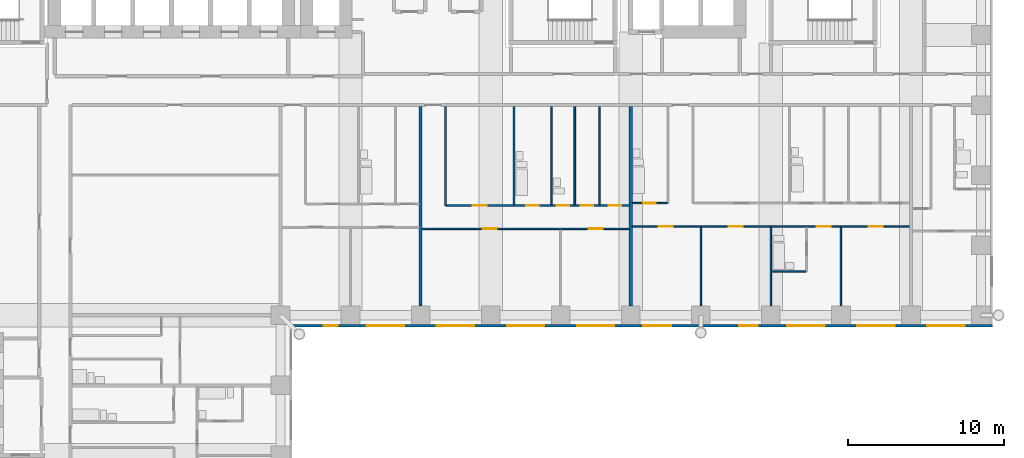
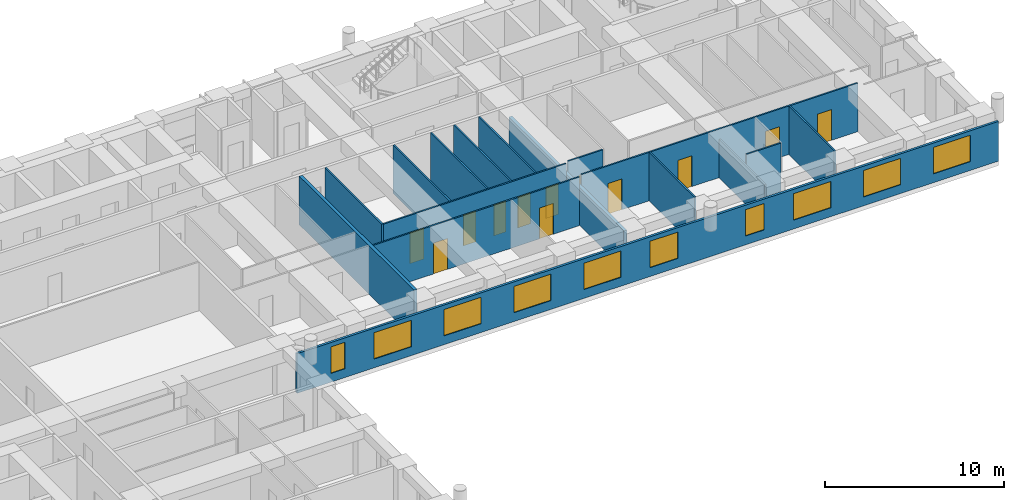
# One storey, part 9 of 14: 16 walls, 12 doors, 10 windows, 22 openings.
"""IFC4 building model written with IfcOpenShell, lengths in metres."""

from ifc_helpers import new_model, si_unit, direction, frame, frame_2d, origin, place, context, subcontext, project, spatial, rectangle, extrude, material, layer, layer_set, type_object, element, fill, save


model = new_model("IFC4")

# Units and contexts
model_context = context("Model", 3, precision=1e-05, world=origin(), true_north=direction((0.0, 1.0)))
body_context = subcontext(model_context, "Body", "Model", "MODEL_VIEW")
ifc_project = project(units=[si_unit("LENGTHUNIT", "METRE"), si_unit("AREAUNIT", "SQUARE_METRE"), si_unit("VOLUMEUNIT", "CUBIC_METRE"), si_unit("PLANEANGLEUNIT", "RADIAN"), si_unit("MASSUNIT", "GRAM", prefix="KILO")], contexts=[model_context])

# Site, building, storey
site_placement = place(None, origin())
site = spatial("IfcSite", under=ifc_project, at=site_placement, CompositionType="ELEMENT")
building_placement = place(site_placement, origin())
building = spatial("IfcBuilding", under=site, at=building_placement, Name="Firuza Court", CompositionType="ELEMENT")
storey_placement = place(building_placement, frame((0.0, 0.0, 90.199951171875)))
storey = spatial("IfcBuildingStorey", under=building, at=storey_placement, Name="L22", CompositionType="ELEMENT", Elevation=90.199951171875)

# Walls
ifc_material_1 = material(Name="Moisture-resistant gypsum board partition")
ifc_layer_1 = layer(ifc_material_1, 0.10009765625)
ifc_layer_set_1 = layer_set([ifc_layer_1], Name="Moisture-resistant gypsum board partition")
wall_type_1 = type_object("IfcWallType", Name="Bathroom partition 100", PredefinedType="PLUMBINGWALL", material=ifc_layer_set_1)
wall_1_placement = place(storey_placement, frame((54.050048828125, 38.800048828125, 0.0), z_axis=(0.0, 0.0, 1.0), x_axis=(1.0, 0.0, 0.0)))
element("IfcWall", 1, at=wall_1_placement, inside=storey, type_object=wall_type_1, Name="Bathroom partition 100 L22", PredefinedType="PLUMBINGWALL", context=body_context, shape_type="SweptSolid", body=[
    extrude(rectangle(XDim=2.199951171875, YDim=0.10009765625, at=frame_2d((1.10009765625, 0.0))), origin(), (0.0, 0.0, 1.0), 3.300048828125),
])
for number, where, z_axis, x_axis, name in (
    (2, (37.5, 43.10009765625, 0.0), (0.0, 0.0, 1.0), (0.0, 1.0, 0.0), "Bathroom partition 100 L22"),
    (3, (39.89990234375, 43.10009765625, 0.0), (0.0, 0.0, 1.0), (0.0, 1.0, 0.0), "Bathroom partition 100 L22"),
    (4, (41.39990234375, 43.10009765625, 0.0), (0.0, 0.0, 1.0), (0.0, 1.0, 0.0), "Bathroom partition 100 L22"),
):
    element("IfcWall", number, at=place(storey_placement, frame(where, z_axis=z_axis, x_axis=x_axis)), inside=storey, type_object=wall_type_1, Name=name, PredefinedType="PLUMBINGWALL", context=body_context, shape_type="SweptSolid", body=[
        extrude(rectangle(XDim=6.2998046875, YDim=0.10009765625, at=frame_2d((3.14990234375, 0.0))), origin(), (0.0, 0.0, 1.0), 3.300048828125),
    ])
ifc_material_2 = material(Name="Timber stud partition, plasterboard both sides", Category="wood")
ifc_layer_2 = layer(ifc_material_2, 0.10009765625)
ifc_layer_set_2 = layer_set([ifc_layer_2], Name="Timber stud partition, plasterboard both sides")
wall_type_2 = type_object("IfcWallType", Name="Partition wall 100", PredefinedType="PARTITIONING", material=ifc_layer_set_2)
wall_2_placement = place(storey_placement, frame((49.5, 36.60009765625, 0.0), z_axis=(0.0, 0.0, 1.0), x_axis=(0.0, 1.0, 0.0)))
element("IfcWall", 5, at=wall_2_placement, inside=storey, type_object=wall_type_2, Name="Partition wall 100 L22", PredefinedType="PARTITIONING", context=body_context, shape_type="SweptSolid", body=[
    extrude(rectangle(XDim=5.0498046875, YDim=0.10009765625, at=frame_2d((2.52490234375, 0.0))), origin(), (0.0, 0.0, 1.0), 3.300048828125),
])
wall_3_placement = place(storey_placement, frame((54.0, 36.60009765625, 0.0), z_axis=(0.0, 0.0, 1.0), x_axis=(0.0, 1.0, 0.0)))
element("IfcWall", 6, at=wall_3_placement, inside=storey, type_object=wall_type_2, Name="Partition wall 100 L22", PredefinedType="PARTITIONING", context=body_context, shape_type="SweptSolid", body=[
    extrude(rectangle(XDim=5.0498046875, YDim=0.10009765625, at=frame_2d((2.52490234375, 0.0))), origin(), (0.0, 0.0, 1.0), 2.60009765625),
])
wall_4_placement = place(storey_placement, frame((58.5, 36.60009765625, 0.0), z_axis=(0.0, 0.0, 1.0), x_axis=(0.0, 1.0, 0.0)))
element("IfcWall", 7, at=wall_4_placement, inside=storey, type_object=wall_type_2, Name="Partition wall 100 L22", PredefinedType="PARTITIONING", context=body_context, shape_type="SweptSolid", body=[
    extrude(rectangle(XDim=5.0498046875, YDim=0.10009765625, at=frame_2d((2.52490234375, 0.0))), origin(), (0.0, 0.0, 1.0), 3.300048828125),
])

# Wall, openings, doors
wall_5_placement = place(storey_placement, frame((31.60009765625, 41.550048828125, 0.0), z_axis=(0.0, 0.0, 1.0), x_axis=(1.0, 0.0, 0.0)))
wall_5 = element("IfcWall", 8, at=wall_5_placement, inside=storey, type_object=wall_type_2, Name="Partition wall 100 L22", PredefinedType="PARTITIONING", context=body_context, shape_type="SweptSolid", body=[
    extrude(rectangle(XDim=13.2998046875, YDim=0.10009765625, at=frame_2d((6.64990234375, 0.0))), origin(), (0.0, 0.0, 1.0), 3.300048828125),
])
opening_1_placement = place(wall_5_placement, frame((3.89990234375, 0.0, 0.0)))
opening_1 = element("IfcOpeningElement", 9, at=opening_1_placement, cuts=wall_5, Name="Opening D22044", PredefinedType="OPENING", context=body_context, shape_type="SweptSolid", body=[
    extrude(rectangle(XDim=0.89990234375, YDim=2.10009765625, at=frame_2d((0.449951171875, 1.050048828125))), frame((0.0, 0.06201171875, 0.0), z_axis=(0.0, -1.0, 0.0), x_axis=(1.0, 0.0, 0.0)), (0.0, 0.0, 1.0), 0.1240234375),
])
opening_2_placement = place(wall_5_placement, frame((10.699951171875, 0.0, 0.0)))
opening_2 = element("IfcOpeningElement", 10, at=opening_2_placement, cuts=wall_5, Name="Opening D22045", PredefinedType="OPENING", context=body_context, shape_type="SweptSolid", body=[
    extrude(rectangle(XDim=0.89990234375, YDim=2.10009765625, at=frame_2d((0.449951171875, 1.050048828125))), frame((0.0, 0.06201171875, 0.0), z_axis=(0.0, -1.0, 0.0), x_axis=(1.0, 0.0, 0.0)), (0.0, 0.0, 1.0), 0.1240234375),
])
ifc_material_3 = material(Name="Timber door leaf in hardwood frame", Category="wood")
door_type_1 = type_object("IfcDoorType", Name="Room door 900", OperationType="SINGLE_SWING_LEFT", PredefinedType="DOOR", material=ifc_material_3)
door_1_placement = place(opening_1_placement, frame((0.89990234375, 0.0, 0.0), z_axis=(0.0, 0.0, 1.0), x_axis=(-1.0, 0.0, 0.0)))
door_1 = element("IfcDoor", 11, at=door_1_placement, inside=storey, type_object=door_type_1, Name="Living room door", OperationType="SINGLE_SWING_RIGHT", OverallHeight=2.10009765625, OverallWidth=0.89990234375, PredefinedType="DOOR", context=body_context, shape_type="SweptSolid", body=[
    extrude(rectangle(XDim=0.89990234375, YDim=2.10009765625, at=frame_2d((0.449951171875, 1.050048828125))), frame((0.0, 0.02490234375, 0.0), z_axis=(0.0, -1.0, 0.0), x_axis=(1.0, 0.0, 0.0)), (0.0, 0.0, 1.0), 0.050048828125),
])
fill(opening_1, door_1)
door_2_placement = place(opening_2_placement, frame((0.89990234375, 0.0, 0.0), z_axis=(0.0, 0.0, 1.0), x_axis=(-1.0, 0.0, 0.0)))
door_2 = element("IfcDoor", 12, at=door_2_placement, inside=storey, type_object=door_type_1, Name="Bedroom door", OperationType="SINGLE_SWING_RIGHT", OverallHeight=2.10009765625, OverallWidth=0.89990234375, PredefinedType="DOOR", context=body_context, shape_type="SweptSolid", body=[
    extrude(rectangle(XDim=0.89990234375, YDim=2.10009765625, at=frame_2d((0.449951171875, 1.050048828125))), frame((0.0, 0.02490234375, 0.0), z_axis=(0.0, -1.0, 0.0), x_axis=(1.0, 0.0, 0.0)), (0.0, 0.0, 1.0), 0.050048828125),
])
fill(opening_2, door_2)

wall_6_placement = place(storey_placement, frame((45.10009765625, 41.699951171875, 0.0), z_axis=(0.0, 0.0, 1.0), x_axis=(1.0, 0.0, 0.0)))
wall_6 = element("IfcWall", 13, at=wall_6_placement, inside=storey, type_object=wall_type_2, Name="Partition wall 100 L22", PredefinedType="PARTITIONING", context=body_context, shape_type="SweptSolid", body=[
    extrude(rectangle(XDim=17.7998046875, YDim=0.10009765625, at=frame_2d((8.89990234375, 0.0))), origin(), (0.0, 0.0, 1.0), 3.300048828125),
])
opening_3_placement = place(wall_6_placement, frame((1.699951171875, 0.0, 0.0)))
opening_3 = element("IfcOpeningElement", 14, at=opening_3_placement, cuts=wall_6, Name="Opening D22048", PredefinedType="OPENING", context=body_context, shape_type="SweptSolid", body=[
    extrude(rectangle(XDim=0.89990234375, YDim=2.10009765625, at=frame_2d((0.449951171875, 1.050048828125))), frame((0.0, 0.06201171875, 0.0), z_axis=(0.0, -1.0, 0.0), x_axis=(1.0, 0.0, 0.0)), (0.0, 0.0, 1.0), 0.1240234375),
])
opening_4_placement = place(wall_6_placement, frame((6.199951171875, 0.0, 0.0)))
opening_4 = element("IfcOpeningElement", 15, at=opening_4_placement, cuts=wall_6, Name="Opening D22049", PredefinedType="OPENING", context=body_context, shape_type="SweptSolid", body=[
    extrude(rectangle(XDim=0.89990234375, YDim=2.10009765625, at=frame_2d((0.449951171875, 1.050048828125))), frame((0.0, 0.06201171875, 0.0), z_axis=(0.0, -1.0, 0.0), x_axis=(1.0, 0.0, 0.0)), (0.0, 0.0, 1.0), 0.1240234375),
])
opening_5_placement = place(wall_6_placement, frame((11.85009765625, 0.0, 0.0)))
opening_5 = element("IfcOpeningElement", 16, at=opening_5_placement, cuts=wall_6, Name="Opening D22050", PredefinedType="OPENING", context=body_context, shape_type="SweptSolid", body=[
    extrude(rectangle(XDim=0.89990234375, YDim=2.10009765625, at=frame_2d((0.449951171875, 1.050048828125))), frame((0.0, 0.06201171875, 0.0), z_axis=(0.0, -1.0, 0.0), x_axis=(1.0, 0.0, 0.0)), (0.0, 0.0, 1.0), 0.1240234375),
])
opening_6_placement = place(wall_6_placement, frame((15.199951171875, 0.0, 0.0)))
opening_6 = element("IfcOpeningElement", 17, at=opening_6_placement, cuts=wall_6, Name="Opening D22051", PredefinedType="OPENING", context=body_context, shape_type="SweptSolid", body=[
    extrude(rectangle(XDim=0.89990234375, YDim=2.10009765625, at=frame_2d((0.449951171875, 1.050048828125))), frame((0.0, 0.06201171875, 0.0), z_axis=(0.0, -1.0, 0.0), x_axis=(1.0, 0.0, 0.0)), (0.0, 0.0, 1.0), 0.1240234375),
])
door_3_placement = place(opening_3_placement, frame((0.89990234375, 0.0, 0.0), z_axis=(0.0, 0.0, 1.0), x_axis=(-1.0, 0.0, 0.0)))
door_3 = element("IfcDoor", 18, at=door_3_placement, inside=storey, type_object=door_type_1, Name="Bedroom door", OperationType="SINGLE_SWING_RIGHT", OverallHeight=2.10009765625, OverallWidth=0.89990234375, PredefinedType="DOOR", context=body_context, shape_type="SweptSolid", body=[
    extrude(rectangle(XDim=0.89990234375, YDim=2.10009765625, at=frame_2d((0.449951171875, 1.050048828125))), frame((0.0, 0.02490234375, 0.0), z_axis=(0.0, -1.0, 0.0), x_axis=(1.0, 0.0, 0.0)), (0.0, 0.0, 1.0), 0.050048828125),
])
fill(opening_3, door_3)
door_4_placement = place(opening_4_placement, frame((0.89990234375, 0.0, 0.0), z_axis=(0.0, 0.0, 1.0), x_axis=(-1.0, 0.0, 0.0)))
door_4 = element("IfcDoor", 19, at=door_4_placement, inside=storey, type_object=door_type_1, Name="Living room door", OperationType="SINGLE_SWING_RIGHT", OverallHeight=2.10009765625, OverallWidth=0.89990234375, PredefinedType="DOOR", context=body_context, shape_type="SweptSolid", body=[
    extrude(rectangle(XDim=0.89990234375, YDim=2.10009765625, at=frame_2d((0.449951171875, 1.050048828125))), frame((0.0, 0.02490234375, 0.0), z_axis=(0.0, -1.0, 0.0), x_axis=(1.0, 0.0, 0.0)), (0.0, 0.0, 1.0), 0.050048828125),
])
fill(opening_4, door_4)
door_5_placement = place(opening_5_placement, frame((0.89990234375, 0.0, 0.0), z_axis=(0.0, 0.0, 1.0), x_axis=(-1.0, 0.0, 0.0)))
door_5 = element("IfcDoor", 20, at=door_5_placement, inside=storey, type_object=door_type_1, Name="Bedroom door", OperationType="SINGLE_SWING_RIGHT", OverallHeight=2.10009765625, OverallWidth=0.89990234375, PredefinedType="DOOR", context=body_context, shape_type="SweptSolid", body=[
    extrude(rectangle(XDim=0.89990234375, YDim=2.10009765625, at=frame_2d((0.449951171875, 1.050048828125))), frame((0.0, 0.02490234375, 0.0), z_axis=(0.0, -1.0, 0.0), x_axis=(1.0, 0.0, 0.0)), (0.0, 0.0, 1.0), 0.050048828125),
])
fill(opening_5, door_5)
door_6_placement = place(opening_6_placement, frame((0.89990234375, 0.0, 0.0), z_axis=(0.0, 0.0, 1.0), x_axis=(-1.0, 0.0, 0.0)))
door_6 = element("IfcDoor", 21, at=door_6_placement, inside=storey, type_object=door_type_1, Name="Bedroom door", OperationType="SINGLE_SWING_RIGHT", OverallHeight=2.10009765625, OverallWidth=0.89990234375, PredefinedType="DOOR", context=body_context, shape_type="SweptSolid", body=[
    extrude(rectangle(XDim=0.89990234375, YDim=2.10009765625, at=frame_2d((0.449951171875, 1.050048828125))), frame((0.0, 0.02490234375, 0.0), z_axis=(0.0, -1.0, 0.0), x_axis=(1.0, 0.0, 0.0)), (0.0, 0.0, 1.0), 0.050048828125),
])
fill(opening_6, door_6)

# Wall
wall_7_placement = place(storey_placement, frame((33.10009765625, 43.050048828125, 0.0), z_axis=(0.0, 0.0, 1.0), x_axis=(0.0, 1.0, 0.0)))
element("IfcWall", 22, at=wall_7_placement, inside=storey, type_object=wall_type_2, Name="Partition wall 100 L22", PredefinedType="PARTITIONING", context=body_context, shape_type="SweptSolid", body=[
    extrude(rectangle(XDim=6.349853515625, YDim=0.10009765625, at=frame_2d((3.1748046875, 0.0))), origin(), (0.0, 0.0, 1.0), 3.300048828125),
])

# Wall, openings, doors
wall_8_placement = place(storey_placement, frame((33.14990234375, 43.050048828125, 0.0), z_axis=(0.0, 0.0, 1.0), x_axis=(1.0, 0.0, 0.0)))
wall_8 = element("IfcWall", 23, at=wall_8_placement, inside=storey, type_object=wall_type_2, Name="Partition wall 100 L22", PredefinedType="PARTITIONING", context=body_context, shape_type="SweptSolid", body=[
    extrude(rectangle(XDim=11.75, YDim=0.10009765625, at=frame_2d((5.875, 0.0))), origin(), (0.0, 0.0, 1.0), 3.300048828125),
])
opening_7_placement = place(wall_8_placement, frame((5.14990234375, 0.0, 0.0)))
opening_7 = element("IfcOpeningElement", 24, at=opening_7_placement, cuts=wall_8, Name="Opening D22053", PredefinedType="OPENING", context=body_context, shape_type="SweptSolid", body=[
    extrude(rectangle(XDim=0.800048828125, YDim=2.10009765625, at=frame_2d((0.39990234375, 1.050048828125))), frame((0.0, 0.06201171875, 0.0), z_axis=(0.0, -1.0, 0.0), x_axis=(1.0, 0.0, 0.0)), (0.0, 0.0, 1.0), 0.1240234375),
])
opening_8_placement = place(wall_8_placement, frame((1.699951171875, 0.0, 0.0)))
opening_8 = element("IfcOpeningElement", 25, at=opening_8_placement, cuts=wall_8, Name="Opening D22054", PredefinedType="OPENING", context=body_context, shape_type="SweptSolid", body=[
    extrude(rectangle(XDim=0.89990234375, YDim=2.10009765625, at=frame_2d((0.449951171875, 1.050048828125))), frame((0.0, 0.06201171875, 0.0), z_axis=(0.0, -1.0, 0.0), x_axis=(1.0, 0.0, 0.0)), (0.0, 0.0, 1.0), 0.1240234375),
])
opening_9_placement = place(wall_8_placement, frame((8.64990234375, 0.0, 0.0)))
opening_9 = element("IfcOpeningElement", 26, at=opening_9_placement, cuts=wall_8, Name="Opening D22055", PredefinedType="OPENING", context=body_context, shape_type="SweptSolid", body=[
    extrude(rectangle(XDim=0.800048828125, YDim=2.10009765625, at=frame_2d((0.39990234375, 1.050048828125))), frame((0.0, 0.06201171875, 0.0), z_axis=(0.0, -1.0, 0.0), x_axis=(1.0, 0.0, 0.0)), (0.0, 0.0, 1.0), 0.1240234375),
])
opening_10_placement = place(wall_8_placement, frame((10.449951171875, 0.0, 0.0)))
opening_10 = element("IfcOpeningElement", 27, at=opening_10_placement, cuts=wall_8, Name="Opening D22056", PredefinedType="OPENING", context=body_context, shape_type="SweptSolid", body=[
    extrude(rectangle(XDim=0.800048828125, YDim=2.10009765625, at=frame_2d((0.39990234375, 1.050048828125))), frame((0.0, 0.06201171875, 0.0), z_axis=(0.0, -1.0, 0.0), x_axis=(1.0, 0.0, 0.0)), (0.0, 0.0, 1.0), 0.1240234375),
])
opening_11_placement = place(wall_8_placement, frame((7.10009765625, 0.0, 0.0)))
opening_11 = element("IfcOpeningElement", 28, at=opening_11_placement, cuts=wall_8, Name="Opening D22057", PredefinedType="OPENING", context=body_context, shape_type="SweptSolid", body=[
    extrude(rectangle(XDim=0.800048828125, YDim=2.10009765625, at=frame_2d((0.39990234375, 1.050048828125))), frame((0.0, 0.06201171875, 0.0), z_axis=(0.0, -1.0, 0.0), x_axis=(1.0, 0.0, 0.0)), (0.0, 0.0, 1.0), 0.1240234375),
])
ifc_material_4 = material(Name="Timber door leaf in hardwood frame", Category="wood")
door_type_2 = type_object("IfcDoorType", Name="Bathroom door 800", OperationType="SINGLE_SWING_LEFT", PredefinedType="DOOR", material=ifc_material_4)
door_7_placement = place(opening_7_placement, origin())
door_7 = element("IfcDoor", 29, at=door_7_placement, inside=storey, type_object=door_type_2, Name="Bathroom door", OperationType="SINGLE_SWING_LEFT", OverallHeight=2.10009765625, OverallWidth=0.800048828125, PredefinedType="DOOR", context=body_context, shape_type="SweptSolid", body=[
    extrude(rectangle(XDim=0.800048828125, YDim=2.10009765625, at=frame_2d((0.39990234375, 1.050048828125))), frame((0.0, 0.02490234375, 0.0), z_axis=(0.0, -1.0, 0.0), x_axis=(1.0, 0.0, 0.0)), (0.0, 0.0, 1.0), 0.050048828125),
])
fill(opening_7, door_7)
door_8_placement = place(opening_11_placement, origin())
door_8 = element("IfcDoor", 30, at=door_8_placement, inside=storey, type_object=door_type_2, Name="Powder room door", OperationType="SINGLE_SWING_LEFT", OverallHeight=2.10009765625, OverallWidth=0.800048828125, PredefinedType="DOOR", context=body_context, shape_type="SweptSolid", body=[
    extrude(rectangle(XDim=0.800048828125, YDim=2.10009765625, at=frame_2d((0.39990234375, 1.050048828125))), frame((0.0, 0.02490234375, 0.0), z_axis=(0.0, -1.0, 0.0), x_axis=(1.0, 0.0, 0.0)), (0.0, 0.0, 1.0), 0.050048828125),
])
fill(opening_11, door_8)
ifc_material_5 = material(Name="Timber door leaf in hardwood frame", Category="wood")
door_type_3 = type_object("IfcDoorType", Name="Room door 800", OperationType="SINGLE_SWING_LEFT", PredefinedType="DOOR", material=ifc_material_5)
door_9_placement = place(opening_9_placement, origin())
door_9 = element("IfcDoor", 31, at=door_9_placement, inside=storey, type_object=door_type_3, Name="Store door", OperationType="SINGLE_SWING_LEFT", OverallHeight=2.10009765625, OverallWidth=0.800048828125, PredefinedType="DOOR", context=body_context, shape_type="SweptSolid", body=[
    extrude(rectangle(XDim=0.800048828125, YDim=2.10009765625, at=frame_2d((0.39990234375, 1.050048828125))), frame((0.0, 0.02490234375, 0.0), z_axis=(0.0, -1.0, 0.0), x_axis=(1.0, 0.0, 0.0)), (0.0, 0.0, 1.0), 0.050048828125),
])
fill(opening_9, door_9)
door_10_placement = place(opening_10_placement, origin())
door_10 = element("IfcDoor", 32, at=door_10_placement, inside=storey, type_object=door_type_3, Name="Utility room door", OperationType="SINGLE_SWING_LEFT", OverallHeight=2.10009765625, OverallWidth=0.800048828125, PredefinedType="DOOR", context=body_context, shape_type="SweptSolid", body=[
    extrude(rectangle(XDim=0.800048828125, YDim=2.10009765625, at=frame_2d((0.39990234375, 1.050048828125))), frame((0.0, 0.02490234375, 0.0), z_axis=(0.0, -1.0, 0.0), x_axis=(1.0, 0.0, 0.0)), (0.0, 0.0, 1.0), 0.050048828125),
])
fill(opening_10, door_10)
door_11_placement = place(opening_8_placement, origin())
door_11 = element("IfcDoor", 33, at=door_11_placement, inside=storey, type_object=door_type_1, Name="Kitchen door", OperationType="SINGLE_SWING_LEFT", OverallHeight=2.10009765625, OverallWidth=0.89990234375, PredefinedType="DOOR", context=body_context, shape_type="SweptSolid", body=[
    extrude(rectangle(XDim=0.89990234375, YDim=2.10009765625, at=frame_2d((0.449951171875, 1.050048828125))), frame((0.0, 0.02490234375, 0.0), z_axis=(0.0, -1.0, 0.0), x_axis=(1.0, 0.0, 0.0)), (0.0, 0.0, 1.0), 0.050048828125),
])
fill(opening_8, door_11)

# Wall
wall_9_placement = place(storey_placement, frame((43.0, 43.10009765625, 0.0), z_axis=(0.0, 0.0, 1.0), x_axis=(0.0, 1.0, 0.0)))
element("IfcWall", 34, at=wall_9_placement, inside=storey, type_object=wall_type_2, Name="Partition wall 100 L22", PredefinedType="PARTITIONING", context=body_context, shape_type="SweptSolid", body=[
    extrude(rectangle(XDim=6.2998046875, YDim=0.10009765625, at=frame_2d((3.14990234375, 0.0))), origin(), (0.0, 0.0, 1.0), 3.300048828125),
])

# Wall, opening, door
wall_10_placement = place(storey_placement, frame((45.10009765625, 43.199951171875, 0.0), z_axis=(0.0, 0.0, 1.0), x_axis=(1.0, 0.0, 0.0)))
wall_10 = element("IfcWall", 35, at=wall_10_placement, inside=storey, type_object=wall_type_2, Name="Partition wall 100 L22", PredefinedType="PARTITIONING", context=body_context, shape_type="SweptSolid", body=[
    extrude(rectangle(XDim=2.25, YDim=0.10009765625, at=frame_2d((1.125, 0.0))), origin(), (0.0, 0.0, 1.0), 3.300048828125),
])
opening_12_placement = place(wall_10_placement, frame((0.699951171875, 0.0, 0.0)))
opening_12 = element("IfcOpeningElement", 36, at=opening_12_placement, cuts=wall_10, Name="Opening D22061", PredefinedType="OPENING", context=body_context, shape_type="SweptSolid", body=[
    extrude(rectangle(XDim=0.800048828125, YDim=2.10009765625, at=frame_2d((0.39990234375, 1.050048828125))), frame((0.0, 0.06201171875, 0.0), z_axis=(0.0, -1.0, 0.0), x_axis=(1.0, 0.0, 0.0)), (0.0, 0.0, 1.0), 0.1240234375),
])
door_12_placement = place(opening_12_placement, origin())
door_12 = element("IfcDoor", 37, at=door_12_placement, inside=storey, type_object=door_type_2, Name="Bathroom door", OperationType="SINGLE_SWING_LEFT", OverallHeight=2.10009765625, OverallWidth=0.800048828125, PredefinedType="DOOR", context=body_context, shape_type="SweptSolid", body=[
    extrude(rectangle(XDim=0.800048828125, YDim=2.10009765625, at=frame_2d((0.39990234375, 1.050048828125))), frame((0.0, 0.02490234375, 0.0), z_axis=(0.0, -1.0, 0.0), x_axis=(1.0, 0.0, 0.0)), (0.0, 0.0, 1.0), 0.050048828125),
])
fill(opening_12, door_12)

# Walls
ifc_material_6 = material(Name="Blockwork, plastered both sides", Category="masonry")
ifc_layer_3 = layer(ifc_material_6, 0.199951171875)
ifc_layer_set_3 = layer_set([ifc_layer_3], Name="Blockwork, plastered both sides")
wall_type_3 = type_object("IfcWallType", Name="Party wall 200", PredefinedType="PARTITIONING", material=ifc_layer_set_3)
wall_11_placement = place(storey_placement, frame((31.5, 36.60009765625, 0.0), z_axis=(0.0, 0.0, 1.0), x_axis=(0.0, 1.0, 0.0)))
element("IfcWall", 38, at=wall_11_placement, inside=storey, type_object=wall_type_3, Name="Party wall 200 L22", PredefinedType="PARTITIONING", context=body_context, shape_type="SweptSolid", body=[
    extrude(rectangle(XDim=12.7998046875, YDim=0.199951171875, at=frame_2d((6.39990234375, 0.0))), origin(), (0.0, 0.0, 1.0), 3.300048828125),
])
wall_12_placement = place(storey_placement, frame((45.0, 36.60009765625, 0.0), z_axis=(0.0, 0.0, 1.0), x_axis=(0.0, 1.0, 0.0)))
element("IfcWall", 39, at=wall_12_placement, inside=storey, type_object=wall_type_3, Name="Party wall 200 L22", PredefinedType="PARTITIONING", context=body_context, shape_type="SweptSolid", body=[
    extrude(rectangle(XDim=12.7998046875, YDim=0.199951171875, at=frame_2d((6.39990234375, 0.0))), origin(), (0.0, 0.0, 1.0), 2.60009765625),
])

# Wall, openings, windows
ifc_material_7 = material(Name="Ceramic tile", Category="ceramic")
ifc_layer_4 = layer(ifc_material_7, 0.02001953125)
ifc_material_8 = material(Name="Mineral wool insulation", Category="insulation")
ifc_layer_5 = layer(ifc_material_8, 0.050048828125)
ifc_material_9 = material(Name="Concrete C40/50 precast", Category="concrete")
ifc_layer_6 = layer(ifc_material_9, 0.080078125)
ifc_layer_set_4 = layer_set([ifc_layer_4, ifc_layer_5, ifc_layer_6], Name="Concrete C40/50 precast")
wall_type_4 = type_object("IfcWallType", Name="Precast cladding wall with turquoise TILE PANEL face 150", PredefinedType="STANDARD", material=ifc_layer_set_4)
wall_13_placement = place(storey_placement, frame((23.10009765625, 35.324951171875, 0.0), z_axis=(0.0, 0.0, 1.0), x_axis=(1.0, 0.0, 0.0)))
wall_13 = element("IfcWall", 40, at=wall_13_placement, inside=storey, type_object=wall_type_4, Name="Facade wall L22 S", PredefinedType="STANDARD", context=body_context, shape_type="SweptSolid", body=[
    extrude(rectangle(XDim=45.14990234375, YDim=0.14990234375, at=frame_2d((22.574951171875, 0.0))), origin(), (0.0, 0.0, 1.0), 2.699951171875),
])
opening_13_placement = place(wall_13_placement, frame((2.1845703125, 0.0, 0.60009765625)))
opening_13 = element("IfcOpeningElement", 41, at=opening_13_placement, cuts=wall_13, Name="Opening W3", PredefinedType="OPENING", context=body_context, shape_type="SweptSolid", body=[
    extrude(rectangle(XDim=0.89990234375, YDim=1.800048828125, at=frame_2d((0.449951171875, 0.89990234375))), frame((0.0, 0.0869140625, 0.0), z_axis=(0.0, -1.0, 0.0), x_axis=(1.0, 0.0, 0.0)), (0.0, 0.0, 1.0), 0.173828125),
])
opening_14_placement = place(wall_13_placement, frame((4.949951171875, 0.0, 0.60009765625)))
opening_14 = element("IfcOpeningElement", 42, at=opening_14_placement, cuts=wall_13, Name="Opening W1", PredefinedType="OPENING", context=body_context, shape_type="SweptSolid", body=[
    extrude(rectangle(XDim=2.39990234375, YDim=1.800048828125, at=frame_2d((1.199951171875, 0.89990234375))), frame((0.0, 0.0869140625, 0.0), z_axis=(0.0, -1.0, 0.0), x_axis=(1.0, 0.0, 0.0)), (0.0, 0.0, 1.0), 0.173828125),
])
opening_15_placement = place(wall_13_placement, frame((9.449951171875, 0.0, 0.60009765625)))
opening_15 = element("IfcOpeningElement", 43, at=opening_15_placement, cuts=wall_13, Name="Opening W1", PredefinedType="OPENING", context=body_context, shape_type="SweptSolid", body=[
    extrude(rectangle(XDim=2.39990234375, YDim=1.800048828125, at=frame_2d((1.199951171875, 0.89990234375))), frame((0.0, 0.0869140625, 0.0), z_axis=(0.0, -1.0, 0.0), x_axis=(1.0, 0.0, 0.0)), (0.0, 0.0, 1.0), 0.173828125),
])
opening_16_placement = place(wall_13_placement, frame((13.949951171875, 0.0, 0.60009765625)))
opening_16 = element("IfcOpeningElement", 44, at=opening_16_placement, cuts=wall_13, Name="Opening W1", PredefinedType="OPENING", context=body_context, shape_type="SweptSolid", body=[
    extrude(rectangle(XDim=2.39990234375, YDim=1.800048828125, at=frame_2d((1.199951171875, 0.89990234375))), frame((0.0, 0.0869140625, 0.0), z_axis=(0.0, -1.0, 0.0), x_axis=(1.0, 0.0, 0.0)), (0.0, 0.0, 1.0), 0.173828125),
])
opening_17_placement = place(wall_13_placement, frame((18.449951171875, 0.0, 0.60009765625)))
opening_17 = element("IfcOpeningElement", 45, at=opening_17_placement, cuts=wall_13, Name="Opening W1", PredefinedType="OPENING", context=body_context, shape_type="SweptSolid", body=[
    extrude(rectangle(XDim=2.39990234375, YDim=1.800048828125, at=frame_2d((1.199951171875, 0.89990234375))), frame((0.0, 0.0869140625, 0.0), z_axis=(0.0, -1.0, 0.0), x_axis=(1.0, 0.0, 0.0)), (0.0, 0.0, 1.0), 0.173828125),
])
opening_18_placement = place(wall_13_placement, frame((22.709716796875, 0.0, 0.60009765625)))
opening_18 = element("IfcOpeningElement", 46, at=opening_18_placement, cuts=wall_13, Name="Opening W7", PredefinedType="OPENING", context=body_context, shape_type="SweptSolid", body=[
    extrude(rectangle(XDim=1.800048828125, YDim=1.800048828125, at=frame_2d((0.89990234375, 0.89990234375))), frame((0.0, 0.0869140625, 0.0), z_axis=(0.0, -1.0, 0.0), x_axis=(1.0, 0.0, 0.0)), (0.0, 0.0, 1.0), 0.173828125),
])
opening_19_placement = place(wall_13_placement, frame((28.861083984375, 0.0, 0.60009765625)))
opening_19 = element("IfcOpeningElement", 47, at=opening_19_placement, cuts=wall_13, Name="Opening W8", PredefinedType="OPENING", context=body_context, shape_type="SweptSolid", body=[
    extrude(rectangle(XDim=1.199951171875, YDim=1.800048828125, at=frame_2d((0.60009765625, 0.89990234375))), frame((0.0, 0.0869140625, 0.0), z_axis=(0.0, -1.0, 0.0), x_axis=(1.0, 0.0, 0.0)), (0.0, 0.0, 1.0), 0.173828125),
])
opening_20_placement = place(wall_13_placement, frame((31.949951171875, 0.0, 0.60009765625)))
opening_20 = element("IfcOpeningElement", 48, at=opening_20_placement, cuts=wall_13, Name="Opening W1", PredefinedType="OPENING", context=body_context, shape_type="SweptSolid", body=[
    extrude(rectangle(XDim=2.39990234375, YDim=1.800048828125, at=frame_2d((1.199951171875, 0.89990234375))), frame((0.0, 0.0869140625, 0.0), z_axis=(0.0, -1.0, 0.0), x_axis=(1.0, 0.0, 0.0)), (0.0, 0.0, 1.0), 0.173828125),
])
opening_21_placement = place(wall_13_placement, frame((36.449951171875, 0.0, 0.60009765625)))
opening_21 = element("IfcOpeningElement", 49, at=opening_21_placement, cuts=wall_13, Name="Opening W1", PredefinedType="OPENING", context=body_context, shape_type="SweptSolid", body=[
    extrude(rectangle(XDim=2.39990234375, YDim=1.800048828125, at=frame_2d((1.199951171875, 0.89990234375))), frame((0.0, 0.0869140625, 0.0), z_axis=(0.0, -1.0, 0.0), x_axis=(1.0, 0.0, 0.0)), (0.0, 0.0, 1.0), 0.173828125),
])
opening_22_placement = place(wall_13_placement, frame((40.949951171875, 0.0, 0.60009765625)))
opening_22 = element("IfcOpeningElement", 50, at=opening_22_placement, cuts=wall_13, Name="Opening W1", PredefinedType="OPENING", context=body_context, shape_type="SweptSolid", body=[
    extrude(rectangle(XDim=2.39990234375, YDim=1.800048828125, at=frame_2d((1.199951171875, 0.89990234375))), frame((0.0, 0.0869140625, 0.0), z_axis=(0.0, -1.0, 0.0), x_axis=(1.0, 0.0, 0.0)), (0.0, 0.0, 1.0), 0.173828125),
])
ifc_material_10 = material(Name="Aluminium frame, triple clear glazing", Category="aluminium")
window_type_1 = type_object("IfcWindowType", Name="Window W1 2400 x 1800", PartitioningType="SINGLE_PANEL", PredefinedType="WINDOW", material=ifc_material_10)
window_1_placement = place(opening_14_placement, origin())
window_1 = element("IfcWindow", 51, at=window_1_placement, inside=storey, type_object=window_type_1, Name="Window L22", OverallHeight=1.800048828125, OverallWidth=2.39990234375, PartitioningType="SINGLE_PANEL", PredefinedType="WINDOW", context=body_context, shape_type="SweptSolid", body=[
    extrude(rectangle(XDim=2.39990234375, YDim=1.800048828125, at=frame_2d((1.199951171875, 0.89990234375))), frame((0.0, 0.030029296875, 0.0), z_axis=(0.0, -1.0, 0.0), x_axis=(1.0, 0.0, 0.0)), (0.0, 0.0, 1.0), 0.06005859375),
])
fill(opening_14, window_1)
window_2_placement = place(opening_15_placement, origin())
window_2 = element("IfcWindow", 52, at=window_2_placement, inside=storey, type_object=window_type_1, Name="Window L22", OverallHeight=1.800048828125, OverallWidth=2.39990234375, PartitioningType="SINGLE_PANEL", PredefinedType="WINDOW", context=body_context, shape_type="SweptSolid", body=[
    extrude(rectangle(XDim=2.39990234375, YDim=1.800048828125, at=frame_2d((1.199951171875, 0.89990234375))), frame((0.0, 0.030029296875, 0.0), z_axis=(0.0, -1.0, 0.0), x_axis=(1.0, 0.0, 0.0)), (0.0, 0.0, 1.0), 0.06005859375),
])
fill(opening_15, window_2)
window_3_placement = place(opening_16_placement, origin())
window_3 = element("IfcWindow", 53, at=window_3_placement, inside=storey, type_object=window_type_1, Name="Window L22", OverallHeight=1.800048828125, OverallWidth=2.39990234375, PartitioningType="SINGLE_PANEL", PredefinedType="WINDOW", context=body_context, shape_type="SweptSolid", body=[
    extrude(rectangle(XDim=2.39990234375, YDim=1.800048828125, at=frame_2d((1.199951171875, 0.89990234375))), frame((0.0, 0.030029296875, 0.0), z_axis=(0.0, -1.0, 0.0), x_axis=(1.0, 0.0, 0.0)), (0.0, 0.0, 1.0), 0.06005859375),
])
fill(opening_16, window_3)
window_4_placement = place(opening_17_placement, origin())
window_4 = element("IfcWindow", 54, at=window_4_placement, inside=storey, type_object=window_type_1, Name="Window L22", OverallHeight=1.800048828125, OverallWidth=2.39990234375, PartitioningType="SINGLE_PANEL", PredefinedType="WINDOW", context=body_context, shape_type="SweptSolid", body=[
    extrude(rectangle(XDim=2.39990234375, YDim=1.800048828125, at=frame_2d((1.199951171875, 0.89990234375))), frame((0.0, 0.030029296875, 0.0), z_axis=(0.0, -1.0, 0.0), x_axis=(1.0, 0.0, 0.0)), (0.0, 0.0, 1.0), 0.06005859375),
])
fill(opening_17, window_4)
window_5_placement = place(opening_20_placement, origin())
window_5 = element("IfcWindow", 55, at=window_5_placement, inside=storey, type_object=window_type_1, Name="Window L22", OverallHeight=1.800048828125, OverallWidth=2.39990234375, PartitioningType="SINGLE_PANEL", PredefinedType="WINDOW", context=body_context, shape_type="SweptSolid", body=[
    extrude(rectangle(XDim=2.39990234375, YDim=1.800048828125, at=frame_2d((1.199951171875, 0.89990234375))), frame((0.0, 0.030029296875, 0.0), z_axis=(0.0, -1.0, 0.0), x_axis=(1.0, 0.0, 0.0)), (0.0, 0.0, 1.0), 0.06005859375),
])
fill(opening_20, window_5)
window_6_placement = place(opening_21_placement, origin())
window_6 = element("IfcWindow", 56, at=window_6_placement, inside=storey, type_object=window_type_1, Name="Window L22", OverallHeight=1.800048828125, OverallWidth=2.39990234375, PartitioningType="SINGLE_PANEL", PredefinedType="WINDOW", context=body_context, shape_type="SweptSolid", body=[
    extrude(rectangle(XDim=2.39990234375, YDim=1.800048828125, at=frame_2d((1.199951171875, 0.89990234375))), frame((0.0, 0.030029296875, 0.0), z_axis=(0.0, -1.0, 0.0), x_axis=(1.0, 0.0, 0.0)), (0.0, 0.0, 1.0), 0.06005859375),
])
fill(opening_21, window_6)
window_7_placement = place(opening_22_placement, origin())
window_7 = element("IfcWindow", 57, at=window_7_placement, inside=storey, type_object=window_type_1, Name="Window L22", OverallHeight=1.800048828125, OverallWidth=2.39990234375, PartitioningType="SINGLE_PANEL", PredefinedType="WINDOW", context=body_context, shape_type="SweptSolid", body=[
    extrude(rectangle(XDim=2.39990234375, YDim=1.800048828125, at=frame_2d((1.199951171875, 0.89990234375))), frame((0.0, 0.030029296875, 0.0), z_axis=(0.0, -1.0, 0.0), x_axis=(1.0, 0.0, 0.0)), (0.0, 0.0, 1.0), 0.06005859375),
])
fill(opening_22, window_7)
ifc_material_11 = material(Name="Aluminium frame, triple clear glazing", Category="aluminium")
window_type_2 = type_object("IfcWindowType", Name="Window W3 900 x 1800", PartitioningType="SINGLE_PANEL", PredefinedType="WINDOW", material=ifc_material_11)
window_8_placement = place(opening_13_placement, origin())
window_8 = element("IfcWindow", 58, at=window_8_placement, inside=storey, type_object=window_type_2, Name="Window L22", OverallHeight=1.800048828125, OverallWidth=0.89990234375, PartitioningType="SINGLE_PANEL", PredefinedType="WINDOW", context=body_context, shape_type="SweptSolid", body=[
    extrude(rectangle(XDim=0.89990234375, YDim=1.800048828125, at=frame_2d((0.449951171875, 0.89990234375))), frame((0.0, 0.030029296875, 0.0), z_axis=(0.0, -1.0, 0.0), x_axis=(1.0, 0.0, 0.0)), (0.0, 0.0, 1.0), 0.06005859375),
])
fill(opening_13, window_8)
ifc_material_12 = material(Name="Aluminium frame, triple clear glazing", Category="aluminium")
window_type_3 = type_object("IfcWindowType", Name="Window W7 1800 x 1800", PartitioningType="SINGLE_PANEL", PredefinedType="WINDOW", material=ifc_material_12)
window_9_placement = place(opening_18_placement, origin())
window_9 = element("IfcWindow", 59, at=window_9_placement, inside=storey, type_object=window_type_3, Name="Window L22", OverallHeight=1.800048828125, OverallWidth=1.800048828125, PartitioningType="SINGLE_PANEL", PredefinedType="WINDOW", context=body_context, shape_type="SweptSolid", body=[
    extrude(rectangle(XDim=1.800048828125, YDim=1.800048828125, at=frame_2d((0.89990234375, 0.89990234375))), frame((0.0, 0.030029296875, 0.0), z_axis=(0.0, -1.0, 0.0), x_axis=(1.0, 0.0, 0.0)), (0.0, 0.0, 1.0), 0.06005859375),
])
fill(opening_18, window_9)
ifc_material_13 = material(Name="Aluminium frame, triple clear glazing", Category="aluminium")
window_type_4 = type_object("IfcWindowType", Name="Window W8 1200 x 1800", PartitioningType="SINGLE_PANEL", PredefinedType="WINDOW", material=ifc_material_13)
window_10_placement = place(opening_19_placement, origin())
window_10 = element("IfcWindow", 60, at=window_10_placement, inside=storey, type_object=window_type_4, Name="Window L22", OverallHeight=1.800048828125, OverallWidth=1.199951171875, PartitioningType="SINGLE_PANEL", PredefinedType="WINDOW", context=body_context, shape_type="SweptSolid", body=[
    extrude(rectangle(XDim=1.199951171875, YDim=1.800048828125, at=frame_2d((0.60009765625, 0.89990234375))), frame((0.0, 0.030029296875, 0.0), z_axis=(0.0, -1.0, 0.0), x_axis=(1.0, 0.0, 0.0)), (0.0, 0.0, 1.0), 0.06005859375),
])
fill(opening_19, window_10)

save(model, "model.ifc")
